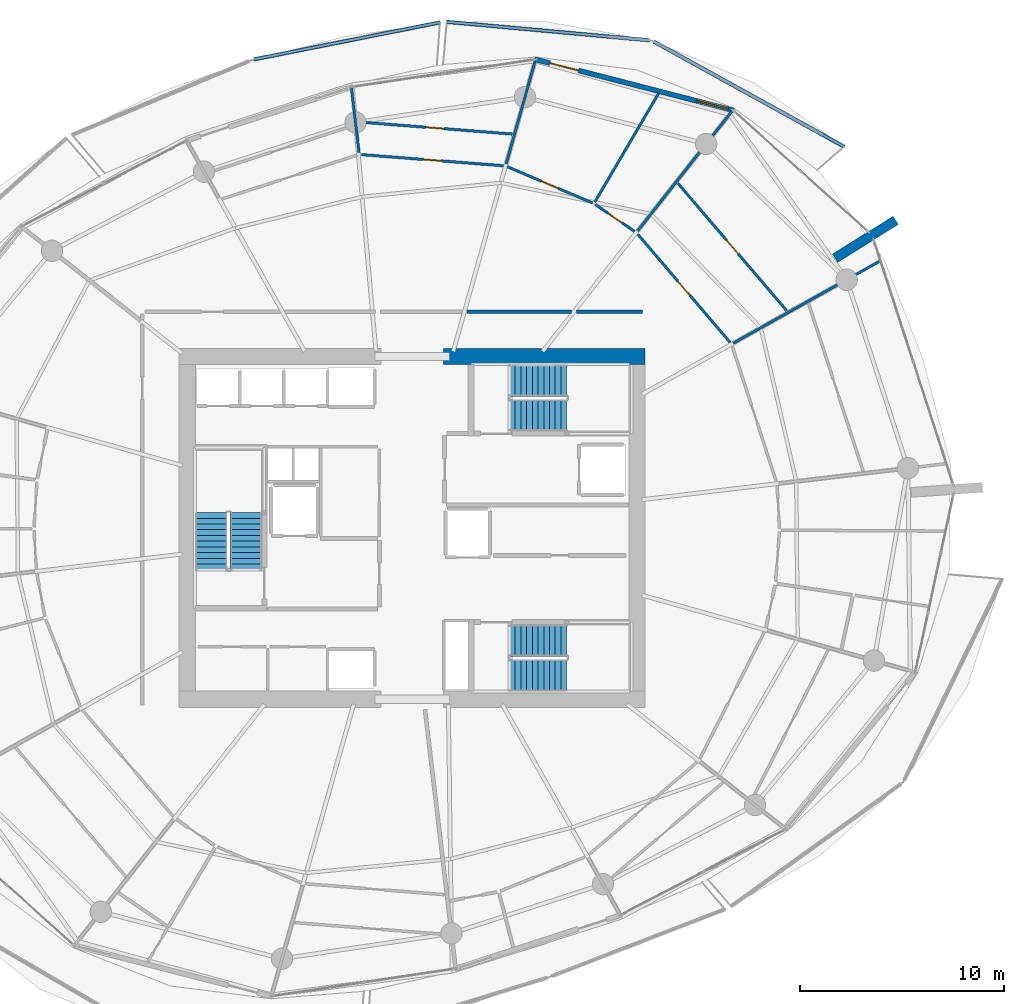
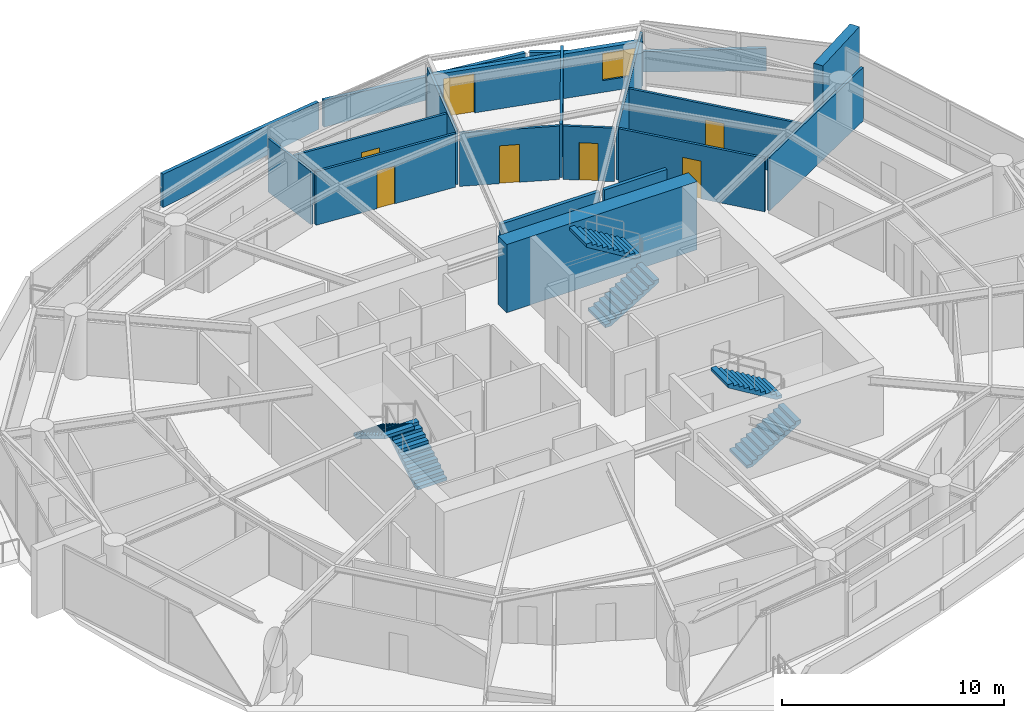
# One storey, part 15 of 20: 19 walls, 7 doors, 6 stair flights, 1 window, 8 openings, 3 elements without a shape of their own.
"""IFC4 building model written with IfcOpenShell, lengths in metres."""

from ifc_helpers import new_model, si_unit, direction, frame, frame_2d, origin, place, context, subcontext, project, spatial, polyline, rectangle, outline, extrude, material, layer, layer_set, type_object, element, fill, aggregate, save


model = new_model("IFC4")

# Units and contexts
model_context = context("Model", 3, precision=1e-05, world=origin(), true_north=direction((0.0, 1.0)))
body_context = subcontext(model_context, "Body", "Model", "MODEL_VIEW")
ifc_project = project(units=[si_unit("LENGTHUNIT", "METRE"), si_unit("AREAUNIT", "SQUARE_METRE"), si_unit("VOLUMEUNIT", "CUBIC_METRE"), si_unit("PLANEANGLEUNIT", "RADIAN"), si_unit("MASSUNIT", "GRAM", prefix="KILO")], contexts=[model_context])

# Site, building, storey
site_placement = place(None, origin())
site = spatial("IfcSite", under=ifc_project, at=site_placement, CompositionType="ELEMENT")
building_placement = place(site_placement, origin())
building = spatial("IfcBuilding", under=site, at=building_placement, Name="Kazma Halo Residences", CompositionType="ELEMENT")
storey_placement = place(building_placement, frame((0.0, 0.0, 150.300048828125)))
storey = spatial("IfcBuildingStorey", under=building, at=storey_placement, Name="L37", CompositionType="ELEMENT", Elevation=150.300048828125)

# Walls
ifc_material_1 = material(Name="White Concrete C50/60 Balustrade", Category="concrete")
ifc_layer_1 = layer(ifc_material_1, 0.179931640625)
ifc_layer_set_1 = layer_set([ifc_layer_1], Name="White Concrete C50/60 Balustrade")
wall_type_1 = type_object("IfcWallType", Name="WL-BAL-WAVE-180", PredefinedType="PARAPET", material=ifc_layer_set_1)
wall_1_placement = place(storey_placement, frame((69.613525390625, 60.689208984375, 0.0), z_axis=(0.0, 0.0, 1.0), x_axis=(-0.875451711427, 0.483305597897, 0.0)))
element("IfcWall", 1, at=wall_1_placement, inside=storey, type_object=wall_type_1, Name="L37 white wave balustrade wall NE.1", PredefinedType="PARAPET", context=body_context, shape_type="SweptSolid", body=[
    extrude(outline(polyline([(0.0, 0.0), (10.6591796875, 0.0), (10.658935546875, 1.14794921875), (5.32958984375, 1.126953125), (0.0, 1.223876953125), (0.0, 0.0)])), frame((0.0, 0.08984375, 0.0), z_axis=(0.0, -1.0, 0.0), x_axis=(1.0, 0.0, 0.0)), (0.0, 0.0, 1.0), 0.179931640625),
])
wall_2_placement = place(storey_placement, frame((60.0576171875, 65.909423828125, 0.0), z_axis=(0.0, 0.0, 1.0), x_axis=(-0.995910609801, 0.09034410487, 0.0)))
element("IfcWall", 2, at=wall_2_placement, inside=storey, type_object=wall_type_1, Name="L37 white wave balustrade wall NE.2", PredefinedType="PARAPET", context=body_context, shape_type="SweptSolid", body=[
    extrude(outline(polyline([(0.0, 0.0), (9.9931640625, 0.0), (9.9931640625, 1.48291015625), (4.99658203125, 1.283935546875), (0.0, 1.14794921875), (0.0, 0.0)])), frame((0.0, 0.08984375, 0.0), z_axis=(0.0, -1.0, 0.0), x_axis=(1.0, 0.0, 0.0)), (0.0, 0.0, 1.0), 0.179931640625),
])
wall_3_placement = place(storey_placement, frame((49.798583984375, 66.78662109375, 0.0), z_axis=(0.0, 0.0, 1.0), x_axis=(-0.980810829075, -0.194961836188, 0.0)))
element("IfcWall", 3, at=wall_3_placement, inside=storey, type_object=wall_type_1, Name="L37 white wave balustrade wall NNW.1", PredefinedType="PARAPET", context=body_context, shape_type="SweptSolid", body=[
    extrude(outline(polyline([(0.0, 0.0), (9.3154296875, 0.0), (9.3154296875, 1.83203125), (4.65771484375, 1.696044921875), (0.0, 1.4970703125), (0.0, 0.0)])), frame((0.0, 0.08984375, 0.0), z_axis=(0.0, -1.0, 0.0), x_axis=(1.0, 0.0, 0.0)), (0.0, 0.0, 1.0), 0.179931640625),
])
ifc_material_2 = material(Name="Pale Concrete C60/75", Category="concrete")
ifc_layer_2 = layer(ifc_material_2, 0.47998046875)
ifc_layer_set_2 = layer_set([ifc_layer_2], Name="Pale Concrete C60/75")
wall_type_2 = type_object("IfcWallType", Name="WL-BLADE-480", PredefinedType="SOLIDWALL", material=ifc_layer_set_2)
wall_4_placement = place(storey_placement, frame((69.165283203125, 55.2255859375, 0.0), z_axis=(0.0, 0.0, 1.0), x_axis=(0.848053161125, 0.529911158502, 0.0)))
element("IfcWall", 4, at=wall_4_placement, inside=storey, type_object=wall_type_2, Name="L37 pale concrete structural blade fin wall BW-01", PredefinedType="SOLIDWALL", context=body_context, shape_type="SweptSolid", body=[
    extrude(rectangle(XDim=3.5, YDim=0.47998046875, at=frame_2d((1.75, 0.0))), origin(), (0.0, 0.0, 1.0), 3.75),
])
ifc_material_3 = material(Name="Concrete C80/95", Category="concrete")
ifc_layer_3 = layer(ifc_material_3, 0.800048828125)
ifc_layer_set_3 = layer_set([ifc_layer_3], Name="Concrete C80/95")
wall_type_3 = type_object("IfcWallType", Name="WL-CORE-800", PredefinedType="SHEAR", material=ifc_layer_set_3)
wall_5_placement = place(storey_placement, frame((49.949951171875, 50.39990234375, 0.0), z_axis=(0.0, 0.0, 1.0), x_axis=(1.0, 0.0, 0.0)))
element("IfcWall", 5, at=wall_5_placement, inside=storey, type_object=wall_type_3, Name="L37 central core shear wall NE", PredefinedType="SHEAR", context=body_context, shape_type="SweptSolid", body=[
    extrude(rectangle(XDim=9.900146484375, YDim=0.800048828125, at=frame_2d((4.9501953125, 0.0))), origin(), (0.0, 0.0, 1.0), 3.75),
])
ifc_material_4 = material(Name="Acoustic Twin-Stud Gypsum")
ifc_layer_4 = layer(ifc_material_4, 0.179931640625)
ifc_layer_set_4 = layer_set([ifc_layer_4], Name="Acoustic Twin-Stud Gypsum")
wall_type_4 = type_object("IfcWallType", Name="WL-DEM-180", PredefinedType="PARTITIONING", material=ifc_layer_set_4)
wall_6_placement = place(storey_placement, frame((59.72998046875, 52.60009765625, 0.0), z_axis=(0.0, 0.0, 1.0), x_axis=(-1.0, 0.0, 0.0)))
element("IfcWall", 6, at=wall_6_placement, inside=storey, type_object=wall_type_4, Name="L37 Apartment 2 inner wall 0", PredefinedType="PARTITIONING", context=body_context, shape_type="SweptSolid", body=[
    extrude(rectangle(XDim=3.253662109375, YDim=0.179931640625, at=frame_2d((1.626953125, 0.0))), origin(), (0.0, 0.0, 1.0), 2.93994140625),
])
wall_7_placement = place(storey_placement, frame((56.236328125, 52.60009765625, 0.0), z_axis=(0.0, 0.0, 1.0), x_axis=(-1.0, 0.0, 0.0)))
element("IfcWall", 7, at=wall_7_placement, inside=storey, type_object=wall_type_4, Name="L37 Apartment 2 inner wall 1", PredefinedType="PARTITIONING", context=body_context, shape_type="SweptSolid", body=[
    extrude(rectangle(XDim=5.126708984375, YDim=0.179931640625, at=frame_2d((2.5634765625, 0.0))), origin(), (0.0, 0.0, 1.0), 2.93994140625),
])

# Wall, openings, door, window
ifc_material_5 = material(Name="Insulated Pale-Metal Composite Wall")
ifc_layer_5 = layer(ifc_material_5, 0.239990234375)
ifc_layer_set_5 = layer_set([ifc_layer_5], Name="Insulated Pale-Metal Composite Wall")
wall_type_5 = type_object("IfcWallType", Name="WL-EXT-HOST-240", PredefinedType="SOLIDWALL", material=ifc_layer_set_5)
wall_8_placement = place(storey_placement, frame((64.192138671875, 62.4658203125, 0.0), z_axis=(0.0, 0.0, 1.0), x_axis=(-0.968379685126, 0.249481032214, 0.0)))
wall_8 = element("IfcWall", 8, at=wall_8_placement, inside=storey, type_object=wall_type_5, Name="L37 exterior terrace-access wall B02", PredefinedType="SOLIDWALL", context=body_context, shape_type="SweptSolid", body=[
    extrude(rectangle(XDim=10.08154296875, YDim=0.239990234375, at=frame_2d((5.040771484375, 0.0))), origin(), (0.0, 0.0, 1.0), 2.449951171875),
])
opening_1_placement = place(wall_8_placement, frame((7.861572265625, 0.0, 0.0)))
opening_1 = element("IfcOpeningElement", 9, at=opening_1_placement, cuts=wall_8, Name="Opening DTR-1600", PredefinedType="OPENING", context=body_context, shape_type="SweptSolid", body=[
    extrude(rectangle(XDim=1.449951171875, YDim=2.14990234375, at=frame_2d((0.72509765625, 1.074951171875))), frame((0.0, 0.1298828125, 0.0), z_axis=(0.0, -1.0, 0.0), x_axis=(1.0, 0.0, 0.0)), (0.0, 0.0, 1.0), 0.260009765625),
])
opening_2_placement = place(wall_8_placement, frame((0.280029296875, 0.0, 0.64990234375)))
opening_2 = element("IfcOpeningElement", 10, at=opening_2_placement, cuts=wall_8, Name="Opening W-1800", PredefinedType="OPENING", context=body_context, shape_type="SweptSolid", body=[
    extrude(rectangle(XDim=1.60009765625, YDim=1.5, at=frame_2d((0.800048828125, 0.75))), frame((0.0, 0.1298828125, 0.0), z_axis=(0.0, -1.0, 0.0), x_axis=(1.0, 0.0, 0.0)), (0.0, 0.0, 1.0), 0.260009765625),
])
ifc_material_6 = material(Name="Aluminium AW-6063 T6 Double-Glazed Terrace Door", Category="aluminium")
door_type_1 = type_object("IfcDoorType", Name="DR-EXT-TERR-1600", OperationType="NOTDEFINED", PredefinedType="DOOR", material=ifc_material_6)
door_1_placement = place(opening_1_placement, origin())
door_1 = element("IfcDoor", 11, at=door_1_placement, inside=storey, type_object=door_type_1, Name="L37 B02 balcony terrace door", OperationType="DOUBLE_DOOR_SLIDING", OverallHeight=2.14990234375, OverallWidth=1.449951171875, PredefinedType="DOOR", context=body_context, shape_type="SweptSolid", body=[
    extrude(rectangle(XDim=1.449951171875, YDim=2.14990234375, at=frame_2d((0.72509765625, 1.074951171875))), frame((0.0, 0.02490234375, 0.0), z_axis=(0.0, -1.0, 0.0), x_axis=(1.0, 0.0, 0.0)), (0.0, 0.0, 1.0), 0.050048828125),
])
fill(opening_1, door_1)
ifc_material_7 = material(Name="Clear Triple-Silver Low-E Glass in Aluminium AW-6063 T6 Frame", Category="aluminium")
window_type = type_object("IfcWindowType", Name="WIN-RES-1800", PartitioningType="DOUBLE_PANEL_VERTICAL", PredefinedType="WINDOW", material=ifc_material_7)
window_placement = place(opening_2_placement, origin())
window = element("IfcWindow", 12, at=window_placement, inside=storey, type_object=window_type, Name="L37 B02 apartment window", OverallHeight=1.5, OverallWidth=1.60009765625, PartitioningType="SINGLE_PANEL", PredefinedType="WINDOW", context=body_context, shape_type="SweptSolid", body=[
    extrude(rectangle(XDim=1.60009765625, YDim=1.5, at=frame_2d((0.800048828125, 0.75))), frame((0.0, 0.030029296875, 0.0), z_axis=(0.0, -1.0, 0.0), x_axis=(1.0, 0.0, 0.0)), (0.0, 0.0, 1.0), 0.06005859375),
])
fill(opening_2, window)

# Wall
ifc_material_8 = material(Name="Gypsum Plasterboard Partition")
ifc_layer_6 = layer(ifc_material_8, 0.125)
ifc_layer_set_6 = layer_set([ifc_layer_6], Name="Gypsum Plasterboard Partition")
wall_type_6 = type_object("IfcWallType", Name="WL-PART-125", PredefinedType="PARTITIONING", material=ifc_layer_set_6)
wall_9_placement = place(storey_placement, frame((64.17529296875, 51.05859375, 0.0), z_axis=(0.0, 0.0, 1.0), x_axis=(0.872491881101, 0.488628608877, 0.0)))
element("IfcWall", 13, at=wall_9_placement, inside=storey, type_object=wall_type_6, Name="L37 Apartment 2 radial partition 0", PredefinedType="PARTITIONING", context=body_context, shape_type="SweptSolid", body=[
    extrude(rectangle(XDim=8.2470703125, YDim=0.125, at=frame_2d((4.12353515625, 0.0))), origin(), (0.0, 0.0, 1.0), 2.93994140625),
])

# Wall, opening, door
wall_10_placement = place(storey_placement, frame((64.0166015625, 51.09326171875, 0.0), z_axis=(0.0, 0.0, 1.0), x_axis=(-0.649447060425, 0.76040680935, 0.0)))
wall_10 = element("IfcWall", 14, at=wall_10_placement, inside=storey, type_object=wall_type_6, Name="L37 Apartment 2 Sky Study hall wall", PredefinedType="PARTITIONING", context=body_context, shape_type="SweptSolid", body=[
    extrude(rectangle(XDim=6.974853515625, YDim=0.125, at=frame_2d((3.4873046875, 0.0))), origin(), (0.0, 0.0, 1.0), 2.93994140625),
])
opening_3_placement = place(wall_10_placement, frame((3.037353515625, 0.0, 0.0)))
opening_3 = element("IfcOpeningElement", 15, at=opening_3_placement, cuts=wall_10, Name="Opening DI-950", PredefinedType="OPENING", context=body_context, shape_type="SweptSolid", body=[
    extrude(rectangle(XDim=0.89990234375, YDim=2.080078125, at=frame_2d((0.449951171875, 1.0400390625))), frame((0.0, 0.072509765625, 0.0), z_axis=(0.0, -1.0, 0.0), x_axis=(1.0, 0.0, 0.0)), (0.0, 0.0, 1.0), 0.14501953125),
])
ifc_material_9 = material(Name="Timber Veneer Flush Leaf", Category="wood")
door_type_2 = type_object("IfcDoorType", Name="DR-INT-950", OperationType="NOTDEFINED", PredefinedType="DOOR", material=ifc_material_9)
door_2_placement = place(opening_3_placement, origin())
door_2 = element("IfcDoor", 16, at=door_2_placement, inside=storey, type_object=door_type_2, Name="L37 Apartment 2 Sky Study door", OperationType="SINGLE_SWING_RIGHT", OverallHeight=2.080078125, OverallWidth=0.89990234375, PredefinedType="DOOR", context=body_context, shape_type="SweptSolid", body=[
    extrude(rectangle(XDim=0.89990234375, YDim=2.080078125, at=frame_2d((0.449951171875, 1.0400390625))), frame((0.0, 0.02490234375, 0.0), z_axis=(0.0, -1.0, 0.0), x_axis=(1.0, 0.0, 0.0)), (0.0, 0.0, 1.0), 0.050048828125),
])
fill(opening_3, door_2)

wall_11_placement = place(storey_placement, frame((66.7919921875, 52.647705078125, 0.0), z_axis=(0.0, 0.0, 1.0), x_axis=(-0.649446834215, 0.76040700255, 0.0)))
wall_11 = element("IfcWall", 17, at=wall_11_placement, inside=storey, type_object=wall_type_6, Name="L37 Apartment 2 Gulf Master Bedroom divider wall", PredefinedType="PARTITIONING", context=body_context, shape_type="SweptSolid", body=[
    extrude(rectangle(XDim=8.2158203125, YDim=0.125, at=frame_2d((4.10791015625, 0.0))), origin(), (0.0, 0.0, 1.0), 2.93994140625),
])
opening_4_placement = place(wall_11_placement, frame((3.657958984375, 0.0, 0.0)))
opening_4 = element("IfcOpeningElement", 18, at=opening_4_placement, cuts=wall_11, Name="Opening DI-950", PredefinedType="OPENING", context=body_context, shape_type="SweptSolid", body=[
    extrude(rectangle(XDim=0.89990234375, YDim=2.080078125, at=frame_2d((0.449951171875, 1.0400390625))), frame((0.0, 0.072509765625, 0.0), z_axis=(0.0, -1.0, 0.0), x_axis=(1.0, 0.0, 0.0)), (0.0, 0.0, 1.0), 0.14501953125),
])
door_3_placement = place(opening_4_placement, origin())
door_3 = element("IfcDoor", 19, at=door_3_placement, inside=storey, type_object=door_type_2, Name="L37 Apartment 2 Gulf Master Bedroom door", OperationType="SINGLE_SWING_LEFT", OverallHeight=2.080078125, OverallWidth=0.89990234375, PredefinedType="DOOR", context=body_context, shape_type="SweptSolid", body=[
    extrude(rectangle(XDim=0.89990234375, YDim=2.080078125, at=frame_2d((0.449951171875, 1.0400390625))), frame((0.0, 0.02490234375, 0.0), z_axis=(0.0, -1.0, 0.0), x_axis=(1.0, 0.0, 0.0)), (0.0, 0.0, 1.0), 0.050048828125),
])
fill(opening_4, door_3)

# Walls
wall_12_placement = place(storey_placement, frame((59.477294921875, 56.55908203125, 0.0), z_axis=(0.0, 0.0, 1.0), x_axis=(0.619110986016, 0.785303499925, 0.0)))
element("IfcWall", 20, at=wall_12_placement, inside=storey, type_object=wall_type_6, Name="L37 Apartment 2 radial partition 1", PredefinedType="PARTITIONING", context=body_context, shape_type="SweptSolid", body=[
    extrude(rectangle(XDim=7.5126953125, YDim=0.125, at=frame_2d((3.75634765625, 0.0))), origin(), (0.0, 0.0, 1.0), 2.93994140625),
])
wall_13_placement = place(storey_placement, frame((57.3818359375, 57.978271484375, 0.0), z_axis=(0.0, 0.0, 1.0), x_axis=(0.506339561396, 0.862334186128, 0.0)))
element("IfcWall", 21, at=wall_13_placement, inside=storey, type_object=wall_type_6, Name="L37 Apartment 2 mid-bay wall 1", PredefinedType="PARTITIONING", context=body_context, shape_type="SweptSolid", body=[
    extrude(rectangle(XDim=6.16259765625, YDim=0.125, at=frame_2d((3.081298828125, 0.0))), origin(), (0.0, 0.0, 1.0), 2.93994140625),
])

# Wall, opening, door
wall_14_placement = place(storey_placement, frame((59.3330078125, 56.536865234375, 0.0), z_axis=(0.0, 0.0, 1.0), x_axis=(-0.825780816813, 0.563991172434, 0.0)))
wall_14 = element("IfcWall", 22, at=wall_14_placement, inside=storey, type_object=wall_type_6, Name="L37 Apartment 2 Primary Wine Pantry Store hall wall", PredefinedType="PARTITIONING", context=body_context, shape_type="SweptSolid", body=[
    extrude(rectangle(XDim=2.337890625, YDim=0.125, at=frame_2d((1.1689453125, 0.0))), origin(), (0.0, 0.0, 1.0), 2.93994140625),
])
opening_5_placement = place(wall_14_placement, frame((0.743896484375, 0.0, 0.0)))
opening_5 = element("IfcOpeningElement", 23, at=opening_5_placement, cuts=wall_14, Name="Opening DB-900", PredefinedType="OPENING", context=body_context, shape_type="SweptSolid", body=[
    extrude(rectangle(XDim=0.85009765625, YDim=2.06005859375, at=frame_2d((0.425048828125, 1.030029296875))), frame((0.0, 0.072509765625, 0.0), z_axis=(0.0, -1.0, 0.0), x_axis=(1.0, 0.0, 0.0)), (0.0, 0.0, 1.0), 0.14501953125),
])
ifc_material_10 = material(Name="Moisture-Sealed Timber Leaf", Category="wood")
door_type_3 = type_object("IfcDoorType", Name="DR-BTH-900", OperationType="NOTDEFINED", PredefinedType="DOOR", material=ifc_material_10)
door_4_placement = place(opening_5_placement, origin())
door_4 = element("IfcDoor", 24, at=door_4_placement, inside=storey, type_object=door_type_3, Name="L37 Apartment 2 Primary Wine Pantry Store door", OperationType="SINGLE_SWING_LEFT", OverallHeight=2.06005859375, OverallWidth=0.85009765625, PredefinedType="DOOR", context=body_context, shape_type="SweptSolid", body=[
    extrude(rectangle(XDim=0.85009765625, YDim=2.06005859375, at=frame_2d((0.425048828125, 1.030029296875))), frame((0.0, 0.02490234375, 0.0), z_axis=(0.0, -1.0, 0.0), x_axis=(1.0, 0.0, 0.0)), (0.0, 0.0, 1.0), 0.050048828125),
])
fill(opening_5, door_4)

wall_15_placement = place(storey_placement, frame((57.2626953125, 57.931884765625, 0.0), z_axis=(0.0, 0.0, 1.0), x_axis=(-0.919910192906, 0.392129107549, 0.0)))
wall_15 = element("IfcWall", 25, at=wall_15_placement, inside=storey, type_object=wall_type_6, Name="L37 Apartment 2 Secondary Formal Dining Room hall wall", PredefinedType="PARTITIONING", context=body_context, shape_type="SweptSolid", body=[
    extrude(rectangle(XDim=4.528076171875, YDim=0.125, at=frame_2d((2.26416015625, 0.0))), origin(), (0.0, 0.0, 1.0), 2.93994140625),
])
opening_6_placement = place(wall_15_placement, frame((1.814208984375, 0.0, 0.0)))
opening_6 = element("IfcOpeningElement", 26, at=opening_6_placement, cuts=wall_15, Name="Opening DI-950", PredefinedType="OPENING", context=body_context, shape_type="SweptSolid", body=[
    extrude(rectangle(XDim=0.89990234375, YDim=2.080078125, at=frame_2d((0.449951171875, 1.0400390625))), frame((0.0, 0.072509765625, 0.0), z_axis=(0.0, -1.0, 0.0), x_axis=(1.0, 0.0, 0.0)), (0.0, 0.0, 1.0), 0.14501953125),
])
door_5_placement = place(opening_6_placement, origin())
door_5 = element("IfcDoor", 27, at=door_5_placement, inside=storey, type_object=door_type_2, Name="L37 Apartment 2 Secondary Formal Dining Room door", OperationType="SINGLE_SWING_RIGHT", OverallHeight=2.080078125, OverallWidth=0.89990234375, PredefinedType="DOOR", context=body_context, shape_type="SweptSolid", body=[
    extrude(rectangle(XDim=0.89990234375, YDim=2.080078125, at=frame_2d((0.449951171875, 1.0400390625))), frame((0.0, 0.02490234375, 0.0), z_axis=(0.0, -1.0, 0.0), x_axis=(1.0, 0.0, 0.0)), (0.0, 0.0, 1.0), 0.050048828125),
])
fill(opening_6, door_5)

# Wall
wall_16_placement = place(storey_placement, frame((53.0322265625, 59.843017578125, 0.0), z_axis=(0.0, 0.0, 1.0), x_axis=(0.271445669276, 0.962453764412, 0.0)))
element("IfcWall", 28, at=wall_16_placement, inside=storey, type_object=wall_type_6, Name="L37 Apartment 2 radial partition 2", PredefinedType="PARTITIONING", context=body_context, shape_type="SweptSolid", body=[
    extrude(rectangle(XDim=5.200439453125, YDim=0.125, at=frame_2d((2.60009765625, 0.0))), origin(), (0.0, 0.0, 1.0), 2.93994140625),
])

# Wall, opening, door
wall_17_placement = place(storey_placement, frame((52.8955078125, 59.75537109375, 0.0), z_axis=(0.0, 0.0, 1.0), x_axis=(-0.996918496177, 0.078444324085, 0.0)))
wall_17 = element("IfcWall", 29, at=wall_17_placement, inside=storey, type_object=wall_type_6, Name="L37 Apartment 2 East Study hall wall", PredefinedType="PARTITIONING", context=body_context, shape_type="SweptSolid", body=[
    extrude(rectangle(XDim=6.974609375, YDim=0.125, at=frame_2d((3.4873046875, 0.0))), origin(), (0.0, 0.0, 1.0), 2.93994140625),
])
opening_7_placement = place(wall_17_placement, frame((3.037353515625, 0.0, 0.0)))
opening_7 = element("IfcOpeningElement", 30, at=opening_7_placement, cuts=wall_17, Name="Opening DI-950", PredefinedType="OPENING", context=body_context, shape_type="SweptSolid", body=[
    extrude(rectangle(XDim=0.89990234375, YDim=2.080078125, at=frame_2d((0.449951171875, 1.0400390625))), frame((0.0, 0.072509765625, 0.0), z_axis=(0.0, -1.0, 0.0), x_axis=(1.0, 0.0, 0.0)), (0.0, 0.0, 1.0), 0.14501953125),
])
door_6_placement = place(opening_7_placement, origin())
door_6 = element("IfcDoor", 31, at=door_6_placement, inside=storey, type_object=door_type_2, Name="L37 Apartment 2 East Study door", OperationType="SINGLE_SWING_RIGHT", OverallHeight=2.080078125, OverallWidth=0.89990234375, PredefinedType="DOOR", context=body_context, shape_type="SweptSolid", body=[
    extrude(rectangle(XDim=0.89990234375, YDim=2.080078125, at=frame_2d((0.449951171875, 1.0400390625))), frame((0.0, 0.02490234375, 0.0), z_axis=(0.0, -1.0, 0.0), x_axis=(1.0, 0.0, 0.0)), (0.0, 0.0, 1.0), 0.050048828125),
])
fill(opening_7, door_6)

wall_18_placement = place(storey_placement, frame((53.333740234375, 61.309814453125, 0.0), z_axis=(0.0, 0.0, 1.0), x_axis=(-0.996916945499, 0.078464028559, 0.0)))
wall_18 = element("IfcWall", 32, at=wall_18_placement, inside=storey, type_object=wall_type_6, Name="L37 Apartment 2 West Bedroom divider wall", PredefinedType="PARTITIONING", context=body_context, shape_type="SweptSolid", body=[
    extrude(rectangle(XDim=7.6044921875, YDim=0.125, at=frame_2d((3.80224609375, 0.0))), origin(), (0.0, 0.0, 1.0), 2.93994140625),
])
opening_8_placement = place(wall_18_placement, frame((3.352294921875, 0.0, 0.0)))
opening_8 = element("IfcOpeningElement", 33, at=opening_8_placement, cuts=wall_18, Name="Opening DI-950", PredefinedType="OPENING", context=body_context, shape_type="SweptSolid", body=[
    extrude(rectangle(XDim=0.89990234375, YDim=2.080078125, at=frame_2d((0.449951171875, 1.0400390625))), frame((0.0, 0.072509765625, 0.0), z_axis=(0.0, -1.0, 0.0), x_axis=(1.0, 0.0, 0.0)), (0.0, 0.0, 1.0), 0.14501953125),
])
door_7_placement = place(opening_8_placement, origin())
door_7 = element("IfcDoor", 34, at=door_7_placement, inside=storey, type_object=door_type_2, Name="L37 Apartment 2 West Bedroom door", OperationType="SINGLE_SWING_LEFT", OverallHeight=2.080078125, OverallWidth=0.89990234375, PredefinedType="DOOR", context=body_context, shape_type="SweptSolid", body=[
    extrude(rectangle(XDim=0.89990234375, YDim=2.080078125, at=frame_2d((0.449951171875, 1.0400390625))), frame((0.0, 0.02490234375, 0.0), z_axis=(0.0, -1.0, 0.0), x_axis=(1.0, 0.0, 0.0)), (0.0, 0.0, 1.0), 0.050048828125),
])
fill(opening_8, door_7)

# Wall
wall_19_placement = place(storey_placement, frame((45.82080078125, 60.410400390625, 0.0), z_axis=(0.0, 0.0, 1.0), x_axis=(-0.117497237937, 0.993073209324, 0.0)))
element("IfcWall", 35, at=wall_19_placement, inside=storey, type_object=wall_type_6, Name="L37 Apartment 2 radial partition 3", PredefinedType="PARTITIONING", context=body_context, shape_type="SweptSolid", body=[
    extrude(rectangle(XDim=3.19580078125, YDim=0.125, at=frame_2d((1.597900390625, 0.0))), origin(), (0.0, 0.0, 1.0), 2.93994140625),
])

# Stair, stair flights
ifc_material_11 = material(Name="Concrete C50/60", Category="concrete")
stair_type = type_object("IfcStairType", Name="STR-RES1", PredefinedType="HALF_TURN_STAIR", material=ifc_material_11)
stair_1_placement = place(storey_placement, origin())
stair_1 = element("IfcStair", 36, at=stair_1_placement, inside=storey, type_object=stair_type, Name="L37 Core exit stair ST-01", PredefinedType="HALF_TURN_STAIR")
stair_flight_type = type_object("IfcStairFlightType", Name="STR-RES1-FLT", PredefinedType="STRAIGHT", material=ifc_material_11)
stair_flight_1_placement = place(storey_placement, frame((40.27490234375, 39.949951171875, 0.0), z_axis=(0.0, 0.0, 1.0), x_axis=(0.0, 1.0, 0.0)))
stair_flight_1 = element("IfcStairFlight", 37, at=stair_flight_1_placement, type_object=stair_flight_type, Name="ST-01 flight 1", NumberOfRisers=11, NumberOfTreads=10, PredefinedType="STRAIGHT", RiserHeight=0.170454545, TreadLength=0.28, context=body_context, shape_type="SweptSolid", body=[
    extrude(outline(polyline([(0.0, 0.0), (0.0, 0.17041015625), (0.280029296875, 0.17041015625), (0.280029296875, 0.3408203125), (0.56005859375, 0.3408203125), (0.56005859375, 0.511474609375), (0.840087890625, 0.511474609375), (0.840087890625, 0.681884765625), (1.1201171875, 0.681884765625), (1.1201171875, 0.852294921875), (1.39990234375, 0.852294921875), (1.39990234375, 1.022705078125), (1.679931640625, 1.022705078125), (1.679931640625, 1.193115234375), (1.9599609375, 1.193115234375), (1.9599609375, 1.363525390625), (2.239990234375, 1.363525390625), (2.239990234375, 1.5341796875), (2.52001953125, 1.5341796875), (2.52001953125, 1.70458984375), (2.800048828125, 1.70458984375), (2.800048828125, 1.875), (2.800048828125, 1.529052734375), (0.288330078125, 0.0), (0.0, 0.0)])), frame((0.0, 0.77490234375, 0.0), z_axis=(0.0, -1.0, 0.0), x_axis=(1.0, 0.0, 0.0)), (0.0, 0.0, 1.0), 1.550048828125),
])
stair_flight_2_placement = place(storey_placement, frame((38.574951171875, 42.75, 1.875), z_axis=(0.0, 0.0, 1.0), x_axis=(0.0, -1.0, 0.0)))
stair_flight_2 = element("IfcStairFlight", 38, at=stair_flight_2_placement, type_object=stair_flight_type, Name="ST-01 flight 2", NumberOfRisers=11, NumberOfTreads=10, PredefinedType="STRAIGHT", RiserHeight=0.170454545, TreadLength=0.28, context=body_context, shape_type="SweptSolid", body=[
    extrude(outline(polyline([(0.0, 0.0), (0.0, 0.17041015625), (0.280029296875, 0.17041015625), (0.280029296875, 0.3408203125), (0.56005859375, 0.3408203125), (0.56005859375, 0.511474609375), (0.840087890625, 0.511474609375), (0.840087890625, 0.681884765625), (1.1201171875, 0.681884765625), (1.1201171875, 0.852294921875), (1.39990234375, 0.852294921875), (1.39990234375, 1.022705078125), (1.679931640625, 1.022705078125), (1.679931640625, 1.193115234375), (1.9599609375, 1.193115234375), (1.9599609375, 1.363525390625), (2.239990234375, 1.363525390625), (2.239990234375, 1.5341796875), (2.52001953125, 1.5341796875), (2.52001953125, 1.70458984375), (2.800048828125, 1.70458984375), (2.800048828125, 1.875), (2.800048828125, 1.529052734375), (0.288330078125, 0.0), (0.0, 0.0)])), frame((0.0, 0.77490234375, 0.0), z_axis=(0.0, -1.0, 0.0), x_axis=(1.0, 0.0, 0.0)), (0.0, 0.0, 1.0), 1.550048828125),
])
aggregate(stair_1, [stair_flight_1, stair_flight_2])

stair_2_placement = place(storey_placement, origin())
stair_2 = element("IfcStair", 39, at=stair_2_placement, inside=storey, type_object=stair_type, Name="L37 Core exit stair ST-02", PredefinedType="HALF_TURN_STAIR")
stair_flight_3_placement = place(storey_placement, frame((53.199951171875, 47.52490234375, 0.0), z_axis=(0.0, 0.0, 1.0), x_axis=(1.0, 0.0, 0.0)))
stair_flight_3 = element("IfcStairFlight", 40, at=stair_flight_3_placement, type_object=stair_flight_type, Name="ST-02 flight 1", NumberOfRisers=11, NumberOfTreads=10, PredefinedType="STRAIGHT", RiserHeight=0.170454545, TreadLength=0.28, context=body_context, shape_type="SweptSolid", body=[
    extrude(outline(polyline([(0.0, 0.0), (0.0, 0.17041015625), (0.280029296875, 0.17041015625), (0.280029296875, 0.3408203125), (0.56005859375, 0.3408203125), (0.56005859375, 0.511474609375), (0.840087890625, 0.511474609375), (0.840087890625, 0.681884765625), (1.1201171875, 0.681884765625), (1.1201171875, 0.852294921875), (1.39990234375, 0.852294921875), (1.39990234375, 1.022705078125), (1.679931640625, 1.022705078125), (1.679931640625, 1.193115234375), (1.9599609375, 1.193115234375), (1.9599609375, 1.363525390625), (2.239990234375, 1.363525390625), (2.239990234375, 1.5341796875), (2.52001953125, 1.5341796875), (2.52001953125, 1.70458984375), (2.800048828125, 1.70458984375), (2.800048828125, 1.875), (2.800048828125, 1.529052734375), (0.288330078125, 0.0), (0.0, 0.0)])), frame((0.0, 0.77490234375, 0.0), z_axis=(0.0, -1.0, 0.0), x_axis=(1.0, 0.0, 0.0)), (0.0, 0.0, 1.0), 1.550048828125),
])
stair_flight_4_placement = place(storey_placement, frame((56.0, 49.22509765625, 1.875), z_axis=(0.0, 0.0, 1.0), x_axis=(-1.0, 0.0, 0.0)))
stair_flight_4 = element("IfcStairFlight", 41, at=stair_flight_4_placement, type_object=stair_flight_type, Name="ST-02 flight 2", NumberOfRisers=11, NumberOfTreads=10, PredefinedType="STRAIGHT", RiserHeight=0.170454545, TreadLength=0.28, context=body_context, shape_type="SweptSolid", body=[
    extrude(outline(polyline([(0.0, 0.0), (0.0, 0.17041015625), (0.280029296875, 0.17041015625), (0.280029296875, 0.3408203125), (0.56005859375, 0.3408203125), (0.56005859375, 0.511474609375), (0.840087890625, 0.511474609375), (0.840087890625, 0.681884765625), (1.1201171875, 0.681884765625), (1.1201171875, 0.852294921875), (1.39990234375, 0.852294921875), (1.39990234375, 1.022705078125), (1.679931640625, 1.022705078125), (1.679931640625, 1.193115234375), (1.9599609375, 1.193115234375), (1.9599609375, 1.363525390625), (2.239990234375, 1.363525390625), (2.239990234375, 1.5341796875), (2.52001953125, 1.5341796875), (2.52001953125, 1.70458984375), (2.800048828125, 1.70458984375), (2.800048828125, 1.875), (2.800048828125, 1.529052734375), (0.288330078125, 0.0), (0.0, 0.0)])), frame((0.0, 0.77490234375, 0.0), z_axis=(0.0, -1.0, 0.0), x_axis=(1.0, 0.0, 0.0)), (0.0, 0.0, 1.0), 1.550048828125),
])
aggregate(stair_2, [stair_flight_3, stair_flight_4])

stair_3_placement = place(storey_placement, origin())
stair_3 = element("IfcStair", 42, at=stair_3_placement, inside=storey, type_object=stair_type, Name="L37 Core exit stair ST-03", PredefinedType="HALF_TURN_STAIR")
stair_flight_5_placement = place(storey_placement, frame((53.199951171875, 34.77490234375, 0.0), z_axis=(0.0, 0.0, 1.0), x_axis=(1.0, 0.0, 0.0)))
stair_flight_5 = element("IfcStairFlight", 43, at=stair_flight_5_placement, type_object=stair_flight_type, Name="ST-03 flight 1", NumberOfRisers=11, NumberOfTreads=10, PredefinedType="STRAIGHT", RiserHeight=0.170454545, TreadLength=0.28, context=body_context, shape_type="SweptSolid", body=[
    extrude(outline(polyline([(0.0, 0.0), (0.0, 0.17041015625), (0.280029296875, 0.17041015625), (0.280029296875, 0.3408203125), (0.56005859375, 0.3408203125), (0.56005859375, 0.511474609375), (0.840087890625, 0.511474609375), (0.840087890625, 0.681884765625), (1.1201171875, 0.681884765625), (1.1201171875, 0.852294921875), (1.39990234375, 0.852294921875), (1.39990234375, 1.022705078125), (1.679931640625, 1.022705078125), (1.679931640625, 1.193115234375), (1.9599609375, 1.193115234375), (1.9599609375, 1.363525390625), (2.239990234375, 1.363525390625), (2.239990234375, 1.5341796875), (2.52001953125, 1.5341796875), (2.52001953125, 1.70458984375), (2.800048828125, 1.70458984375), (2.800048828125, 1.875), (2.800048828125, 1.529052734375), (0.288330078125, 0.0), (0.0, 0.0)])), frame((0.0, 0.77490234375, 0.0), z_axis=(0.0, -1.0, 0.0), x_axis=(1.0, 0.0, 0.0)), (0.0, 0.0, 1.0), 1.550048828125),
])
stair_flight_6_placement = place(storey_placement, frame((56.0, 36.47509765625, 1.875), z_axis=(0.0, 0.0, 1.0), x_axis=(-1.0, 0.0, 0.0)))
stair_flight_6 = element("IfcStairFlight", 44, at=stair_flight_6_placement, type_object=stair_flight_type, Name="ST-03 flight 2", NumberOfRisers=11, NumberOfTreads=10, PredefinedType="STRAIGHT", RiserHeight=0.170454545, TreadLength=0.28, context=body_context, shape_type="SweptSolid", body=[
    extrude(outline(polyline([(0.0, 0.0), (0.0, 0.17041015625), (0.280029296875, 0.17041015625), (0.280029296875, 0.3408203125), (0.56005859375, 0.3408203125), (0.56005859375, 0.511474609375), (0.840087890625, 0.511474609375), (0.840087890625, 0.681884765625), (1.1201171875, 0.681884765625), (1.1201171875, 0.852294921875), (1.39990234375, 0.852294921875), (1.39990234375, 1.022705078125), (1.679931640625, 1.022705078125), (1.679931640625, 1.193115234375), (1.9599609375, 1.193115234375), (1.9599609375, 1.363525390625), (2.239990234375, 1.363525390625), (2.239990234375, 1.5341796875), (2.52001953125, 1.5341796875), (2.52001953125, 1.70458984375), (2.800048828125, 1.70458984375), (2.800048828125, 1.875), (2.800048828125, 1.529052734375), (0.288330078125, 0.0), (0.0, 0.0)])), frame((0.0, 0.77490234375, 0.0), z_axis=(0.0, -1.0, 0.0), x_axis=(1.0, 0.0, 0.0)), (0.0, 0.0, 1.0), 1.550048828125),
])
aggregate(stair_3, [stair_flight_5, stair_flight_6])

save(model, "model.ifc")
